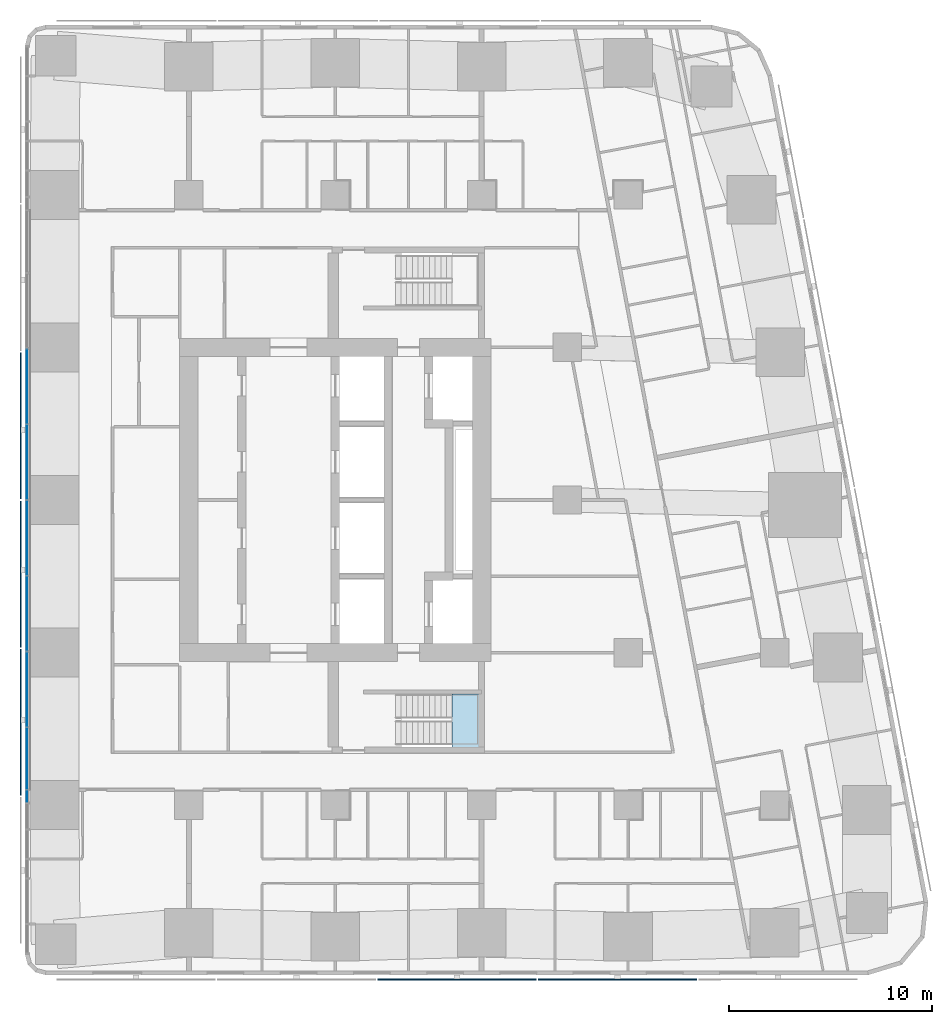
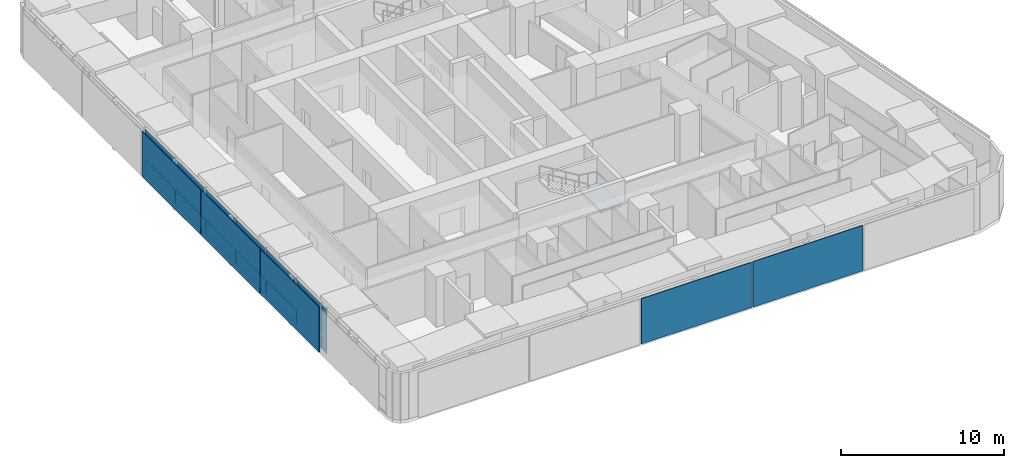
# One storey, part 7 of 19: 19 plates, 1 slab, 2 elements without a shape of their own.
"""IFC4 building model written with IfcOpenShell, lengths in metres."""

from ifc_helpers import new_model, si_unit, direction, frame, origin, origin_2d, place, context, subcontext, project, spatial, polyline, rectangle, outline, extrude, material, layer, layer_set, type_object, element, aggregate, save


model = new_model("IFC4")

# Units and contexts
model_context = context("Model", 3, precision=1e-05, world=origin(), true_north=direction((0.0, 1.0)))
body_context = subcontext(model_context, "Body", "Model", "MODEL_VIEW")
ifc_project = project(units=[si_unit("LENGTHUNIT", "METRE"), si_unit("AREAUNIT", "SQUARE_METRE"), si_unit("VOLUMEUNIT", "CUBIC_METRE"), si_unit("PLANEANGLEUNIT", "RADIAN"), si_unit("MASSUNIT", "GRAM", prefix="KILO")], contexts=[model_context])

# Site, building, storey
site_placement = place(None, origin())
site = spatial("IfcSite", under=ifc_project, at=site_placement, CompositionType="ELEMENT")
building_placement = place(site_placement, origin())
building = spatial("IfcBuilding", under=site, at=building_placement, Name="Sheger Commons Tower", CompositionType="ELEMENT")
storey_placement = place(building_placement, frame((0.0, 0.0, 201.199951171875)))
storey = spatial("IfcBuildingStorey", under=building, at=storey_placement, Name="L51", CompositionType="ELEMENT", Elevation=201.199951171875)

# Curtain wall, plates
ifc_material_1 = material(Name="Black aluminium curtain wall, dark tinted glazing", Category="aluminium")
curtain_wall_type = type_object("IfcCurtainWallType", Name="CURTAIN WALL CW4 GALLERY", PredefinedType="USERDEFINED", material=ifc_material_1)
curtain_wall_placement = place(storey_placement, origin())
curtain_wall = element("IfcCurtainWall", 1, at=curtain_wall_placement, inside=storey, type_object=curtain_wall_type, Name="Curtain Wall Cw4 Gallery W1 L51", ObjectType="UNITISED CURTAIN WALL", PredefinedType="USERDEFINED")
ifc_material_2 = material(Name="Dark tinted double glazing", Category="glass")
ifc_layer_1 = layer(ifc_material_2, 0.031982421875)
ifc_layer_set_1 = layer_set([ifc_layer_1], Name="GLAZED PANEL 32")
plate_type_1 = type_object("IfcPlateType", Name="GLAZED PANEL 32", PredefinedType="CURTAIN_PANEL", material=ifc_layer_set_1)
plate_1_placement = place(storey_placement, frame((6.449951171875, 28.08447265625, 0.065185546875), z_axis=(0.0, 0.0, 1.0), x_axis=(0.0, -1.0, 0.0)))
plate_1 = element("IfcPlate", 2, at=plate_1_placement, type_object=plate_type_1, Name="CW4 panel 9.1", PredefinedType="CURTAIN_PANEL", context=body_context, shape_type="SweptSolid", body=[
    extrude(rectangle(XDim=3.657958984375, YDim=0.031982421875, at=origin_2d()), origin(), (0.0, 0.0, 1.0), 1.00244140625),
])
plate_2_placement = place(storey_placement, frame((6.449951171875, 28.08447265625, 1.13232421875), z_axis=(0.0, 0.0, 1.0), x_axis=(0.0, -1.0, 0.0)))
plate_2 = element("IfcPlate", 3, at=plate_2_placement, type_object=plate_type_1, Name="CW4 panel 9.2", PredefinedType="CURTAIN_PANEL", context=body_context, shape_type="SweptSolid", body=[
    extrude(rectangle(XDim=3.657958984375, YDim=0.031982421875, at=origin_2d()), origin(), (0.0, 0.0, 1.0), 2.302490234375),
])
plate_3_placement = place(storey_placement, frame((6.449951171875, 24.361572265625, 0.065185546875), z_axis=(0.0, 0.0, 1.0), x_axis=(0.0, -1.0, 0.0)))
plate_3 = element("IfcPlate", 4, at=plate_3_placement, type_object=plate_type_1, Name="CW4 panel 10.1", PredefinedType="CURTAIN_PANEL", context=body_context, shape_type="SweptSolid", body=[
    extrude(rectangle(XDim=3.657958984375, YDim=0.031982421875, at=origin_2d()), origin(), (0.0, 0.0, 1.0), 1.00244140625),
])
plate_4_placement = place(storey_placement, frame((6.449951171875, 24.361572265625, 1.13232421875), z_axis=(0.0, 0.0, 1.0), x_axis=(0.0, -1.0, 0.0)))
plate_4 = element("IfcPlate", 5, at=plate_4_placement, type_object=plate_type_1, Name="CW4 panel 10.2", PredefinedType="CURTAIN_PANEL", context=body_context, shape_type="SweptSolid", body=[
    extrude(rectangle(XDim=3.657958984375, YDim=0.031982421875, at=origin_2d()), origin(), (0.0, 0.0, 1.0), 2.302490234375),
])
plate_5_placement = place(storey_placement, frame((6.449951171875, 20.638427734375, 0.065185546875), z_axis=(0.0, 0.0, 1.0), x_axis=(0.0, -1.0, 0.0)))
plate_5 = element("IfcPlate", 6, at=plate_5_placement, type_object=plate_type_1, Name="CW4 panel 11.1", PredefinedType="CURTAIN_PANEL", context=body_context, shape_type="SweptSolid", body=[
    extrude(rectangle(XDim=3.657958984375, YDim=0.031982421875, at=origin_2d()), origin(), (0.0, 0.0, 1.0), 1.00244140625),
])
plate_6_placement = place(storey_placement, frame((6.449951171875, 20.638427734375, 1.13232421875), z_axis=(0.0, 0.0, 1.0), x_axis=(0.0, -1.0, 0.0)))
plate_6 = element("IfcPlate", 7, at=plate_6_placement, type_object=plate_type_1, Name="CW4 panel 11.2", PredefinedType="CURTAIN_PANEL", context=body_context, shape_type="SweptSolid", body=[
    extrude(rectangle(XDim=3.657958984375, YDim=0.031982421875, at=origin_2d()), origin(), (0.0, 0.0, 1.0), 2.302490234375),
])
plate_7_placement = place(storey_placement, frame((6.449951171875, 16.91552734375, 0.065185546875), z_axis=(0.0, 0.0, 1.0), x_axis=(0.0, -1.0, 0.0)))
plate_7 = element("IfcPlate", 8, at=plate_7_placement, type_object=plate_type_1, Name="CW4 panel 12.1", PredefinedType="CURTAIN_PANEL", context=body_context, shape_type="SweptSolid", body=[
    extrude(rectangle(XDim=3.657958984375, YDim=0.031982421875, at=origin_2d()), origin(), (0.0, 0.0, 1.0), 1.00244140625),
])
plate_8_placement = place(storey_placement, frame((6.449951171875, 16.91552734375, 1.13232421875), z_axis=(0.0, 0.0, 1.0), x_axis=(0.0, -1.0, 0.0)))
plate_8 = element("IfcPlate", 9, at=plate_8_placement, type_object=plate_type_1, Name="CW4 panel 12.2", PredefinedType="CURTAIN_PANEL", context=body_context, shape_type="SweptSolid", body=[
    extrude(rectangle(XDim=3.657958984375, YDim=0.031982421875, at=origin_2d()), origin(), (0.0, 0.0, 1.0), 2.302490234375),
])
plate_9_placement = place(storey_placement, frame((6.449951171875, 13.1923828125, 0.065185546875), z_axis=(0.0, 0.0, 1.0), x_axis=(0.0, -1.0, 0.0)))
plate_9 = element("IfcPlate", 10, at=plate_9_placement, type_object=plate_type_1, Name="CW4 panel 13.1", PredefinedType="CURTAIN_PANEL", context=body_context, shape_type="SweptSolid", body=[
    extrude(rectangle(XDim=3.657958984375, YDim=0.031982421875, at=origin_2d()), origin(), (0.0, 0.0, 1.0), 1.00244140625),
])
plate_10_placement = place(storey_placement, frame((6.449951171875, 13.1923828125, 1.13232421875), z_axis=(0.0, 0.0, 1.0), x_axis=(0.0, -1.0, 0.0)))
plate_10 = element("IfcPlate", 11, at=plate_10_placement, type_object=plate_type_1, Name="CW4 panel 13.2", PredefinedType="CURTAIN_PANEL", context=body_context, shape_type="SweptSolid", body=[
    extrude(rectangle(XDim=3.657958984375, YDim=0.031982421875, at=origin_2d()), origin(), (0.0, 0.0, 1.0), 2.302490234375),
])
plate_11_placement = place(storey_placement, frame((6.449951171875, 9.79052734375, 0.065185546875), z_axis=(0.0, 0.0, 1.0), x_axis=(0.0, -1.0, 0.0)))
plate_11 = element("IfcPlate", 12, at=plate_11_placement, type_object=plate_type_1, Name="CW4 panel 14.1", PredefinedType="CURTAIN_PANEL", context=body_context, shape_type="SweptSolid", body=[
    extrude(rectangle(XDim=3.01611328125, YDim=0.031982421875, at=origin_2d()), origin(), (0.0, 0.0, 1.0), 1.00244140625),
])
plate_12_placement = place(storey_placement, frame((6.449951171875, 9.79052734375, 1.13232421875), z_axis=(0.0, 0.0, 1.0), x_axis=(0.0, -1.0, 0.0)))
plate_12 = element("IfcPlate", 13, at=plate_12_placement, type_object=plate_type_1, Name="CW4 panel 14.2", PredefinedType="CURTAIN_PANEL", context=body_context, shape_type="SweptSolid", body=[
    extrude(rectangle(XDim=3.01611328125, YDim=0.031982421875, at=origin_2d()), origin(), (0.0, 0.0, 1.0), 2.302490234375),
])
plate_13_placement = place(storey_placement, frame((6.449951171875, 7.929443359375, 0.065185546875), z_axis=(0.0, 0.0, 1.0), x_axis=(0.0, -1.0, 0.0)))
plate_13 = element("IfcPlate", 14, at=plate_13_placement, type_object=plate_type_1, Name="CW4 panel 15.1", PredefinedType="CURTAIN_PANEL", context=body_context, shape_type="SweptSolid", body=[
    extrude(rectangle(XDim=0.575927734375, YDim=0.031982421875, at=origin_2d()), origin(), (0.0, 0.0, 1.0), 1.00244140625),
])
plate_14_placement = place(storey_placement, frame((6.449951171875, 7.929443359375, 1.13232421875), z_axis=(0.0, 0.0, 1.0), x_axis=(0.0, -1.0, 0.0)))
plate_14 = element("IfcPlate", 15, at=plate_14_placement, type_object=plate_type_1, Name="CW4 panel 15.2", PredefinedType="CURTAIN_PANEL", context=body_context, shape_type="SweptSolid", body=[
    extrude(rectangle(XDim=0.575927734375, YDim=0.031982421875, at=origin_2d()), origin(), (0.0, 0.0, 1.0), 2.302490234375),
])
aggregate(curtain_wall, [plate_1, plate_2, plate_3, plate_4, plate_5, plate_6, plate_7, plate_8, plate_9, plate_10, plate_11, plate_12, plate_13, plate_14])

# Plates
ifc_material_3 = material(Name="Perforated black anodised aluminium screen", Category="aluminium")
ifc_layer_2 = layer(ifc_material_3, 0.050048828125)
ifc_layer_set_2 = layer_set([ifc_layer_2], Name="SOLAR SCREEN SCREEN-1")
plate_type_2 = type_object("IfcPlateType", Name="SOLAR SCREEN SCREEN-1", PredefinedType="USERDEFINED", material=ifc_layer_set_2)
for number, where, z_axis, x_axis, name in (
    (16, (27.577880859375, -1.074951171875, 0.050048828125), (0.0, 0.0, 1.0), (1.0, 0.0, 0.0), "Perforated solar screen panel"),
    (17, (35.468994140625, -1.074951171875, 0.050048828125), (0.0, 0.0, 1.0), (1.0, 0.0, 0.0), "Perforated solar screen panel"),
):
    element("IfcPlate", number, at=place(storey_placement, frame(where, z_axis=z_axis, x_axis=x_axis)), inside=storey, type_object=plate_type_2, Name=name, ObjectType="SCREEN", PredefinedType="USERDEFINED", context=body_context, shape_type="SweptSolid", body=[
        extrude(rectangle(XDim=7.791015625, YDim=0.050048828125, at=origin_2d()), origin(), (0.0, 0.0, 1.0), 3.39990234375),
    ])
for number, where, z_axis, x_axis, name in (
    (18, (6.125, 26.14208984375, 0.050048828125), (0.0, 0.0, 1.0), (0.0, -1.0, 0.0), "Perforated solar screen panel"),
    (19, (6.125, 18.85791015625, 0.050048828125), (0.0, 0.0, 1.0), (0.0, -1.0, 0.0), "Perforated solar screen panel"),
    (20, (6.125, 11.574951171875, 0.050048828125), (0.0, 0.0, 1.0), (0.0, -1.0, 0.0), "Perforated solar screen panel"),
):
    element("IfcPlate", number, at=place(storey_placement, frame(where, z_axis=z_axis, x_axis=x_axis)), inside=storey, type_object=plate_type_2, Name=name, ObjectType="SCREEN", PredefinedType="USERDEFINED", context=body_context, shape_type="SweptSolid", body=[
        extrude(rectangle(XDim=7.18310546875, YDim=0.050048828125, at=origin_2d()), origin(), (0.0, 0.0, 1.0), 3.39990234375),
    ])

# Stair, slab
ifc_material_4 = material(Name="Concrete C35/45", Category="concrete")
stair_type = type_object("IfcStairType", Name="HALF-TURN STAIR 1200 RISE 3750", PredefinedType="HALF_TURN_STAIR", material=ifc_material_4)
stair_placement = place(storey_placement, origin())
stair = element("IfcStair", 21, at=stair_placement, inside=storey, type_object=stair_type, Name="Stair S1 L51", PredefinedType="HALF_TURN_STAIR")
ifc_material_5 = material(Name="Concrete C35/45", Category="concrete")
ifc_layer_3 = layer(ifc_material_5, 0.199951171875)
ifc_layer_set_3 = layer_set([ifc_layer_3], Name="STAIR LANDING 200")
slab_type = type_object("IfcSlabType", Name="STAIR LANDING 200", PredefinedType="LANDING", material=ifc_layer_set_3)
slab_placement = place(storey_placement, frame((0.0, 0.0, 1.675048828125)))
slab = element("IfcSlab", 22, at=slab_placement, type_object=slab_type, Name="S1 landing 1", PredefinedType="LANDING", context=body_context, shape_type="SweptSolid", body=[
    extrude(outline(polyline([(27.35009765625, 10.199951171875), (28.800048828125, 10.199951171875), (28.800048828125, 12.949951171875), (27.35009765625, 12.949951171875), (27.35009765625, 10.199951171875)])), origin(), (0.0, 0.0, 1.0), 0.199951171875),
])
aggregate(stair, [slab])

save(model, "model.ifc")
